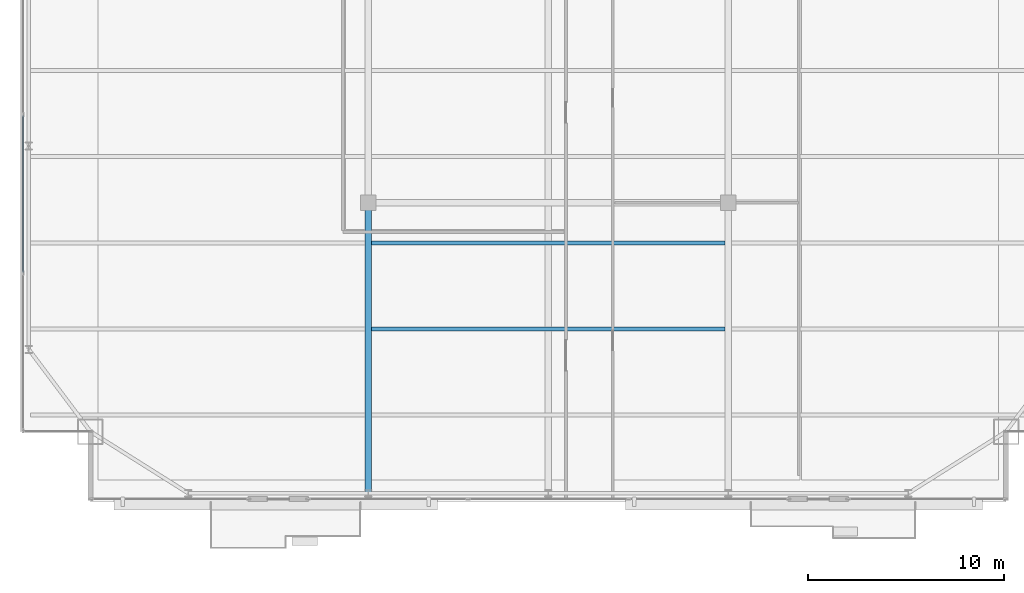
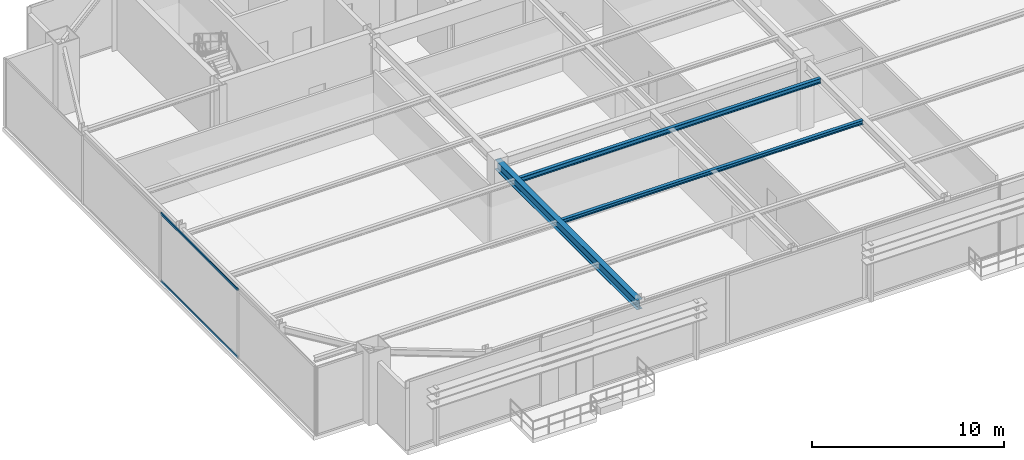
# One storey, part 9 of 25: 3 beams, 2 members, 1 element without a shape of its own.
"""IFC4 building model written with IfcOpenShell, lengths in metres."""

from ifc_helpers import new_model, si_unit, direction, frame, origin, origin_2d, place, context, subcontext, project, spatial, hollow_rectangle, i_section, extrude, source, transform, mapped, material, layer, layer_set, material_profile, profile_set, type_object, type_shapes, element, aggregate, save


model = new_model("IFC4")

# Units and contexts
model_context = context("Model", 3, precision=1e-05, world=origin(), true_north=direction((0.0, 1.0)))
body_context = subcontext(model_context, "Body", "Model", "MODEL_VIEW")
ifc_project = project(units=[si_unit("LENGTHUNIT", "METRE"), si_unit("AREAUNIT", "SQUARE_METRE"), si_unit("VOLUMEUNIT", "CUBIC_METRE"), si_unit("PLANEANGLEUNIT", "RADIAN"), si_unit("MASSUNIT", "GRAM", prefix="KILO")], contexts=[model_context])

# Site, building, storey
site_placement = place(None, origin())
site = spatial("IfcSite", under=ifc_project, at=site_placement, CompositionType="ELEMENT")
building_placement = place(site_placement, origin())
building = spatial("IfcBuilding", under=site, at=building_placement, Name="Varnel Quay Broadcast Tower", CompositionType="ELEMENT")
storey_placement = place(building_placement, frame((0.0, 0.0, 191.39990234375)))
storey = spatial("IfcBuildingStorey", under=building, at=storey_placement, Name="L47", CompositionType="ELEMENT", Elevation=191.39990234375)

# Beams
ifc_material_1 = material(Name="Structural Steel CSA G40.21 350W", Category="steel")
ifc_material_profile_1 = material_profile(ifc_material_1, i_section(OverallWidth=0.324951171875, OverallDepth=0.615966796875, WebThickness=0.013916015625, FlangeThickness=0.021484375, FilletRadius=0.01611328125, at=origin_2d()), Name="W610X174")
ifc_profile_set_1 = profile_set([ifc_material_profile_1], Name="Structural Steel CSA G40.21 350W")
beam_type_1 = type_object("IfcBeamType", Name="Girder_W610X174", PredefinedType="BEAM", material=ifc_profile_set_1)
shared_shape_1 = source(origin(), body_context, "Body", "SweptSolid", [
    extrude(i_section(OverallWidth=0.324951171875, OverallDepth=0.615966796875, WebThickness=0.013916015625, FlangeThickness=0.021484375, FilletRadius=0.01611328125, at=origin_2d()), origin(), (0.0, 0.0, 1.0), 14.800048828125),
])
type_shapes(beam_type_1, [shared_shape_1])
beam_1_placement = place(storey_placement, frame((24.800048828125, 7.669921875, 4.0419921875), z_axis=(0.0, 1.0, 0.0), x_axis=(-1.0, 0.0, 0.0)))
element("IfcBeam", 1, at=beam_1_placement, inside=storey, type_object=beam_type_1, Name="L47 Primary Girder TC-S2-IC-01", PredefinedType="BEAM", context=body_context, shape_type="MappedRepresentation", body=[
    mapped(shared_shape_1, transform((0.0, 0.0, 0.0), x_axis=(1.0, 0.0, 0.0), y_axis=(0.0, 1.0, 0.0), z_axis=(0.0, 0.0, 1.0), scale=1.0)),
])
ifc_material_profile_2 = material_profile(ifc_material_1, i_section(OverallWidth=0.202880859375, OverallDepth=0.302978515625, WebThickness=0.007568359375, FlangeThickness=0.01318359375, FilletRadius=0.011962890625, at=origin_2d()), Name="W310X60")
ifc_profile_set_2 = profile_set([ifc_material_profile_2], Name="Structural Steel CSA G40.21 350W")
beam_type_2 = type_object("IfcBeamType", Name="Beam_W310X60", PredefinedType="JOIST", material=ifc_profile_set_2)
shared_shape_2 = source(origin(), body_context, "Body", "SweptSolid", [
    extrude(i_section(OverallWidth=0.202880859375, OverallDepth=0.302978515625, WebThickness=0.007568359375, FlangeThickness=0.01318359375, FilletRadius=0.011962890625, at=origin_2d()), origin(), (0.0, 0.0, 1.0), 18.0849609375),
])
type_shapes(beam_type_2, [shared_shape_2])
beam_2_placement = place(storey_placement, frame((24.95751953125, 20.449951171875, 4.198486328125), z_axis=(1.0, 0.0, 0.0), x_axis=(0.0, 1.0, 0.0)))
element("IfcBeam", 2, at=beam_2_placement, inside=storey, type_object=beam_type_2, Name="L47 Central Floor Joist 3", PredefinedType="JOIST", context=body_context, shape_type="MappedRepresentation", body=[
    mapped(shared_shape_2, transform((0.0, 0.0, 0.0), x_axis=(1.0, 0.0, 0.0), y_axis=(0.0, 1.0, 0.0), z_axis=(0.0, 0.0, 1.0), scale=1.0)),
])
ifc_material_profile_3 = material_profile(ifc_material_1, i_section(OverallWidth=0.201904296875, OverallDepth=0.2470703125, WebThickness=0.00732421875, FlangeThickness=0.010986328125, FilletRadius=0.010986328125, at=origin_2d()), Name="W250X49")
ifc_profile_set_3 = profile_set([ifc_material_profile_3], Name="Structural Steel CSA G40.21 350W")
beam_type_3 = type_object("IfcBeamType", Name="Beam_W250X49", PredefinedType="JOIST", material=ifc_profile_set_3)
shared_shape_3 = source(origin(), body_context, "Body", "SweptSolid", [
    extrude(i_section(OverallWidth=0.201904296875, OverallDepth=0.2470703125, WebThickness=0.00732421875, FlangeThickness=0.010986328125, FilletRadius=0.010986328125, at=origin_2d()), origin(), (0.0, 0.0, 1.0), 18.0849609375),
])
type_shapes(beam_type_3, [shared_shape_3])
beam_3_placement = place(storey_placement, frame((24.95751953125, 16.050048828125, 4.2265625), z_axis=(1.0, 0.0, 0.0), x_axis=(0.0, 1.0, 0.0)))
element("IfcBeam", 3, at=beam_3_placement, inside=storey, type_object=beam_type_3, Name="L47 Central Floor Joist 2", PredefinedType="JOIST", context=body_context, shape_type="MappedRepresentation", body=[
    mapped(shared_shape_3, transform((0.0, 0.0, 0.0), x_axis=(1.0, 0.0, 0.0), y_axis=(0.0, 1.0, 0.0), z_axis=(0.0, 0.0, 1.0), scale=1.0)),
])

# Curtain wall, members
ifc_material_2 = material(Name="Anodised Bronze Aluminium 6063-T6", Category="aluminium")
ifc_layer = layer(ifc_material_2, 0.18994140625, Name="Anodised Bronze Aluminium 6063-T6")
ifc_layer_set = layer_set([ifc_layer], Name="Anodised Bronze Aluminium 6063-T6")
curtain_wall_type = type_object("IfcCurtainWallType", Name="CW_SkyObsHighVis", PredefinedType="NOTDEFINED", material=ifc_layer_set)
curtain_wall_placement = place(storey_placement, origin())
curtain_wall = element("IfcCurtainWall", 4, at=curtain_wall_placement, inside=storey, type_object=curtain_wall_type, Name="L47 West Unitised Curtain Wall", PredefinedType="NOTDEFINED")
ifc_material_profile_4 = material_profile(ifc_material_2, hollow_rectangle(XDim=0.06005859375, YDim=0.14501953125, WallThickness=0.00341796875, at=origin_2d()), Name="ALU60X145X3.5")
ifc_profile_set_4 = profile_set([ifc_material_profile_4], Name="Anodised Bronze Aluminium 6063-T6")
member_type = type_object("IfcMemberType", Name="Tran_CWS-05", PredefinedType="USERDEFINED", material=ifc_profile_set_4)
shared_shape_4 = source(origin(), body_context, "Body", "SweptSolid", [
    extrude(hollow_rectangle(XDim=0.06005859375, YDim=0.14501953125, WallThickness=0.00341796875, at=origin_2d()), origin(), (0.0, 0.0, 1.0), 8.02490234375),
])
type_shapes(member_type, [shared_shape_4])
member_1_placement = place(storey_placement, frame((7.14990234375, 18.9375, 0.030029296875), z_axis=(0.0, 1.0, 0.0), x_axis=(-1.0, 0.0, 0.0)))
member_1 = element("IfcMember", 5, at=member_1_placement, type_object=member_type, Name="CWS-05 transom 2.1", ObjectType="TRANSOM", PredefinedType="USERDEFINED", context=body_context, shape_type="MappedRepresentation", body=[
    mapped(shared_shape_4, transform((0.0, 0.0, 0.0), x_axis=(1.0, 0.0, 0.0), y_axis=(0.0, 1.0, 0.0), z_axis=(0.0, 0.0, 1.0), scale=1.0)),
])
member_2_placement = place(storey_placement, frame((7.14990234375, 18.9375, 4.320068359375), z_axis=(0.0, 1.0, 0.0), x_axis=(-1.0, 0.0, 0.0)))
member_2 = element("IfcMember", 6, at=member_2_placement, type_object=member_type, Name="CWS-05 transom 2.2", ObjectType="TRANSOM", PredefinedType="USERDEFINED", context=body_context, shape_type="MappedRepresentation", body=[
    mapped(shared_shape_4, transform((0.0, 0.0, 0.0), x_axis=(1.0, 0.0, 0.0), y_axis=(0.0, 1.0, 0.0), z_axis=(0.0, 0.0, 1.0), scale=1.0)),
])
aggregate(curtain_wall, [member_1, member_2])

save(model, "model.ifc")
